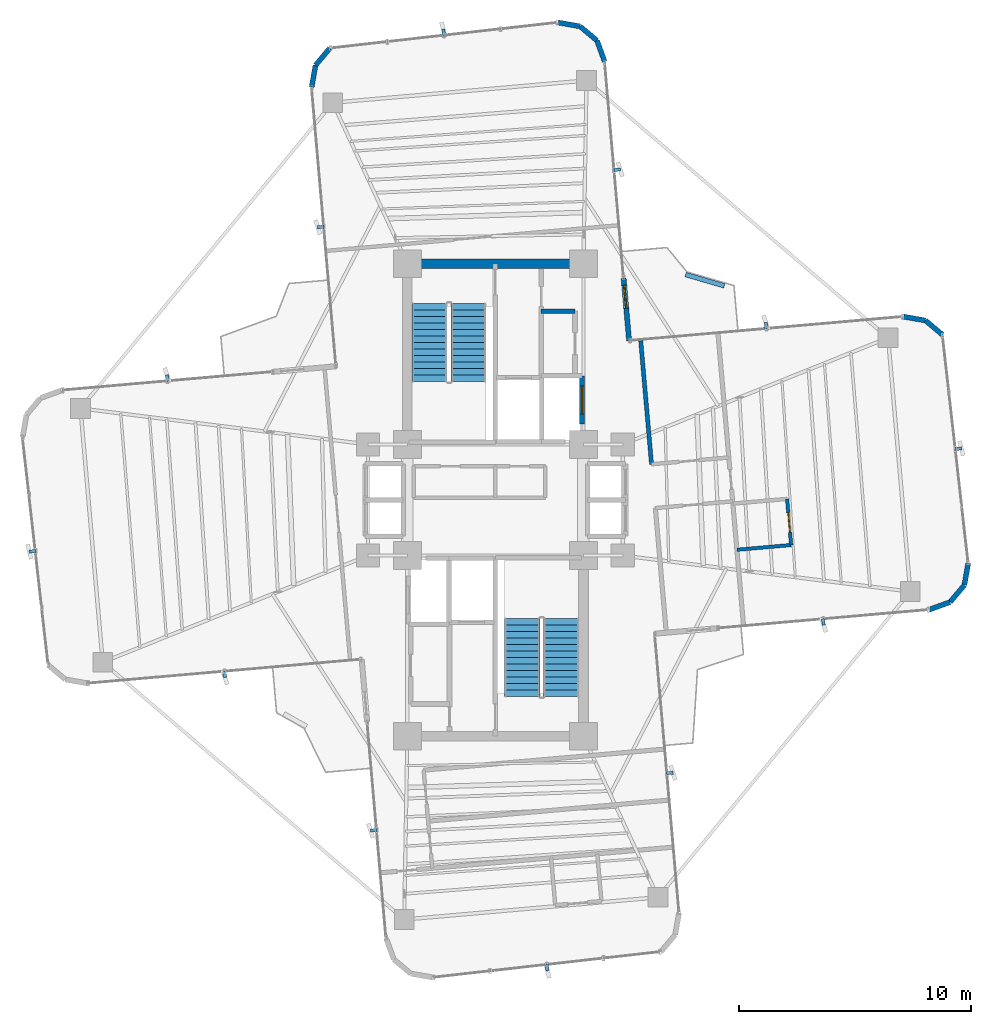
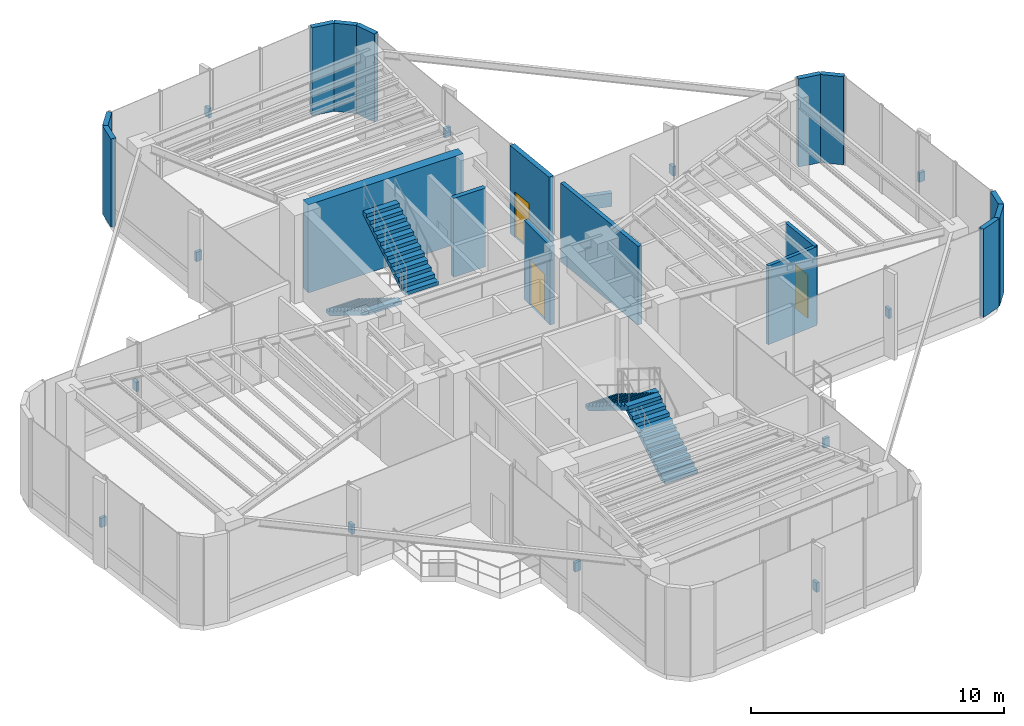
# One storey, part 18 of 19: 18 walls, 12 discrete accessories, 4 stair flights, 3 doors, 3 openings, 2 elements without a shape of their own.
"""IFC4 building model written with IfcOpenShell, lengths in metres."""

from ifc_helpers import new_model, si_unit, direction, frame, frame_2d, origin, origin_2d, place, context, subcontext, project, spatial, polyline, rectangle, outline, extrude, source, transform, mapped, material, layer, layer_set, type_object, element, fill, aggregate, save


model = new_model("IFC4")

# Units and contexts
model_context = context("Model", 3, precision=1e-05, world=origin(), true_north=direction((0.0, 1.0)))
body_context = subcontext(model_context, "Body", "Model", "MODEL_VIEW")
ifc_project = project(units=[si_unit("LENGTHUNIT", "METRE"), si_unit("AREAUNIT", "SQUARE_METRE"), si_unit("VOLUMEUNIT", "CUBIC_METRE"), si_unit("PLANEANGLEUNIT", "RADIAN"), si_unit("MASSUNIT", "GRAM", prefix="KILO")], contexts=[model_context])

# Site, building, storey
site_placement = place(None, origin())
site = spatial("IfcSite", under=ifc_project, at=site_placement, CompositionType="ELEMENT")
building_placement = place(site_placement, origin())
building = spatial("IfcBuilding", under=site, at=building_placement, Name="Sahyath Konkavel Grand Hotel", CompositionType="ELEMENT")
storey_placement = place(building_placement, frame((0.0, 0.0, 170.699951171875)))
storey = spatial("IfcBuildingStorey", under=building, at=storey_placement, Name="L47", CompositionType="ELEMENT", Elevation=170.699951171875)

# Walls
ifc_material_1 = material(Name="Concrete C50/60", Category="concrete")
ifc_layer_1 = layer(ifc_material_1, 0.419921875)
ifc_layer_set_1 = layer_set([ifc_layer_1], Name="Concrete C50/60")
wall_type_1 = type_object("IfcWallType", Name="CWALL-420", PredefinedType="SHEAR", material=ifc_layer_set_1)
wall_1_placement = place(storey_placement, frame((-3.550048828125, 10.199951171875, 0.0), z_axis=(0.0, 0.0, 1.0), x_axis=(1.0, 0.0, 0.0)))
element("IfcWall", 1, at=wall_1_placement, inside=storey, type_object=wall_type_1, Name="L47 North Core Shear Wall N", PredefinedType="SHEAR", context=body_context, shape_type="SweptSolid", body=[
    extrude(rectangle(XDim=7.10009765625, YDim=0.419921875, at=frame_2d((3.550048828125, 0.0))), origin(), (0.0, 0.0, 1.0), 4.260009765625),
])
ifc_material_2 = material(Name="Warm Buff Sandstone Insulated Concrete C40/50", Category="masonry")
ifc_layer_2 = layer(ifc_material_2, 0.219970703125)
ifc_layer_set_2 = layer_set([ifc_layer_2], Name="Warm Buff Sandstone Insulated Concrete C40/50")
wall_type_2 = type_object("IfcWallType", Name="WLL-BALC-THRESH", PredefinedType="STANDARD", material=ifc_layer_set_2)
wall_2_placement = place(storey_placement, frame((18.73388671875, -4.735107421875, 0.0), z_axis=(0.0, 0.0, 1.0), x_axis=(0.939741306239, 0.34188635151, 0.0)))
element("IfcWall", 2, at=wall_2_placement, inside=storey, type_object=wall_type_2, Name="L47 Rounded Corner Sandstone Pier 1", PredefinedType="STANDARD", context=body_context, shape_type="SweptSolid", body=[
    extrude(rectangle(XDim=0.95751953125, YDim=0.219970703125, at=frame_2d((0.478759765625, 0.0))), origin(), (0.0, 0.0, 1.0), 4.260009765625),
])
for number, where, z_axis, x_axis, name in (
    (3, (19.6337890625, -4.40771484375, 0.0), (0.0, 0.0, 1.0), (0.642863236823, 0.765980978054, 0.0), "L47 Rounded Corner Sandstone Pier 2"),
    (4, (20.24951171875, -3.674072265625, 0.0), (0.0, 0.0, 1.0), (0.173610811841, 0.984814340885, 0.0), "L47 Rounded Corner Sandstone Pier 3"),
):
    element("IfcWall", number, at=place(storey_placement, frame(where, z_axis=z_axis, x_axis=x_axis)), inside=storey, type_object=wall_type_2, Name=name, PredefinedType="STANDARD", context=body_context, shape_type="SweptSolid", body=[
        extrude(rectangle(XDim=0.957763671875, YDim=0.219970703125, at=frame_2d((0.47900390625, 0.0))), origin(), (0.0, 0.0, 1.0), 4.260009765625),
    ])
wall_3_placement = place(storey_placement, frame((19.3037109375, 7.134521484375, 0.0), z_axis=(0.0, 0.0, 1.0), x_axis=(-0.766001159887, 0.642839189107, 0.0)))
element("IfcWall", 5, at=wall_3_placement, inside=storey, type_object=wall_type_2, Name="L47 Rounded Corner Sandstone Pier 5", PredefinedType="STANDARD", context=body_context, shape_type="SweptSolid", body=[
    extrude(rectangle(XDim=0.95751953125, YDim=0.219970703125, at=frame_2d((0.478759765625, 0.0))), origin(), (0.0, 0.0, 1.0), 4.260009765625),
])
wall_4_placement = place(storey_placement, frame((18.5703125, 7.75, 0.0), z_axis=(0.0, 0.0, 1.0), x_axis=(-0.984770724397, 0.173858046606, 0.0)))
element("IfcWall", 6, at=wall_4_placement, inside=storey, type_object=wall_type_2, Name="L47 Rounded Corner Sandstone Pier 6", PredefinedType="STANDARD", context=body_context, shape_type="SweptSolid", body=[
    extrude(rectangle(XDim=0.957763671875, YDim=0.219970703125, at=frame_2d((0.47900390625, 0.0))), origin(), (0.0, 0.0, 1.0), 4.260009765625),
])

# Wall, opening, door
wall_5_placement = place(storey_placement, frame((5.7724609375, 6.87939453125, 0.0), z_axis=(0.0, 0.0, 1.0), x_axis=(-0.087168071984, 0.996193619346, 0.0)))
wall_5 = element("IfcWall", 7, at=wall_5_placement, inside=storey, type_object=wall_type_2, Name="L47 Winter-Garden Threshold Wall 8", PredefinedType="STANDARD", context=body_context, shape_type="SweptSolid", body=[
    extrude(rectangle(XDim=2.699951171875, YDim=0.219970703125, at=frame_2d((1.35009765625, 0.0))), origin(), (0.0, 0.0, 1.0), 4.260009765625),
])
opening_1_placement = place(wall_5_placement, frame((1.39990234375, 0.0, 0.0)))
opening_1 = element("IfcOpeningElement", 8, at=opening_1_placement, cuts=wall_5, Name="Opening D-TR1", PredefinedType="OPENING", context=body_context, shape_type="SweptSolid", body=[
    extrude(rectangle(XDim=1.0, YDim=2.199951171875, at=frame_2d((0.5, 1.10009765625))), frame((0.0, 0.1201171875, 0.0), z_axis=(0.0, -1.0, 0.0), x_axis=(1.0, 0.0, 0.0)), (0.0, 0.0, 1.0), 0.239990234375),
])
ifc_material_3 = material(Name="Anodised Bronze Aluminium & Low-E Glazing", Category="aluminium")
door_type_1 = type_object("IfcDoorType", Name="DR-TERRACE-1000", OperationType="NOTDEFINED", PredefinedType="DOOR", material=ifc_material_3)
shared_shape_1 = source(origin(), body_context, "Body", "SweptSolid", [
    extrude(rectangle(XDim=1.0, YDim=0.050048828125, at=origin_2d()), origin(), (0.0, 0.0, 1.0), 2.199951171875),
])
door_1_placement = place(opening_1_placement, frame((0.5, 0.0, 0.0)))
door_1 = element("IfcDoor", 9, at=door_1_placement, inside=storey, type_object=door_type_1, Name="L47 Winter-Garden Terrace Door 8", OperationType="SINGLE_SWING_LEFT", OverallHeight=2.199951171875, OverallWidth=1.0, PredefinedType="DOOR", context=body_context, shape_type="MappedRepresentation", body=[
    mapped(shared_shape_1, transform((0.0, 0.0, 0.0), scale=1.0)),
])
fill(opening_1, door_1)

# Walls
wall_6_placement = place(storey_placement, frame((4.7177734375, 18.93310546875, 0.0), z_axis=(0.0, 0.0, 1.0), x_axis=(-0.34188635151, 0.939741306239, 0.0)))
element("IfcWall", 10, at=wall_6_placement, inside=storey, type_object=wall_type_2, Name="L47 Rounded Corner Sandstone Pier 9", PredefinedType="STANDARD", context=body_context, shape_type="SweptSolid", body=[
    extrude(rectangle(XDim=0.95751953125, YDim=0.219970703125, at=frame_2d((0.478759765625, 0.0))), origin(), (0.0, 0.0, 1.0), 4.260009765625),
])
for number, where, z_axis, x_axis, name in (
    (11, (4.390380859375, 19.8330078125, 0.0), (0.0, 0.0, 1.0), (-0.765980978054, 0.642863236823, 0.0), "L47 Rounded Corner Sandstone Pier 10"),
    (12, (3.65673828125, 20.44873046875, 0.0), (0.0, 0.0, 1.0), (-0.984814340885, 0.173610811841, 0.0), "L47 Rounded Corner Sandstone Pier 11"),
):
    element("IfcWall", number, at=place(storey_placement, frame(where, z_axis=z_axis, x_axis=x_axis)), inside=storey, type_object=wall_type_2, Name=name, PredefinedType="STANDARD", context=body_context, shape_type="SweptSolid", body=[
        extrude(rectangle(XDim=0.957763671875, YDim=0.219970703125, at=frame_2d((0.47900390625, 0.0))), origin(), (0.0, 0.0, 1.0), 4.260009765625),
    ])
for number, where, z_axis, x_axis, name in (
    (13, (-7.152099609375, 19.5029296875, 0.0), (0.0, 0.0, 1.0), (-0.642713642115, -0.766106503196, 0.0), "L47 Rounded Corner Sandstone Pier 13"),
    (14, (-7.767578125, 18.769287109375, 0.0), (0.0, 0.0, 1.0), (-0.173654409999, -0.984806654064, 0.0), "L47 Rounded Corner Sandstone Pier 14"),
):
    element("IfcWall", number, at=place(storey_placement, frame(where, z_axis=z_axis, x_axis=x_axis)), inside=storey, type_object=wall_type_2, Name=name, PredefinedType="STANDARD", context=body_context, shape_type="SweptSolid", body=[
        extrude(rectangle(XDim=0.95751953125, YDim=0.219970703125, at=frame_2d((0.478759765625, 0.0))), origin(), (0.0, 0.0, 1.0), 4.260009765625),
    ])

# Wall, opening, door
ifc_material_4 = material(Name="Concrete C40/50", Category="concrete")
ifc_layer_3 = layer(ifc_material_4, 0.199951171875)
ifc_layer_set_3 = layer_set([ifc_layer_3], Name="Concrete C40/50")
wall_type_3 = type_object("IfcWallType", Name="WLL-CORE-200", PredefinedType="SOLIDWALL", material=ifc_layer_set_3)
wall_7_placement = place(storey_placement, frame((3.739990234375, 3.280029296875, 0.0), z_axis=(0.0, 0.0, 1.0), x_axis=(0.0, 1.0, 0.0)))
wall_7 = element("IfcWall", 15, at=wall_7_placement, inside=storey, type_object=wall_type_3, Name="L47 Partition SH-SVL1-E", PredefinedType="SOLIDWALL", context=body_context, shape_type="SweptSolid", body=[
    extrude(rectangle(XDim=2.080078125, YDim=0.199951171875, at=frame_2d((1.0400390625, 0.0))), origin(), (0.0, 0.0, 1.0), 3.81005859375),
])
opening_2_placement = place(wall_7_placement, frame((0.43994140625, 0.0, 0.0)))
opening_2 = element("IfcOpeningElement", 16, at=opening_2_placement, cuts=wall_7, Name="Opening LD-12", PredefinedType="OPENING", context=body_context, shape_type="SweptSolid", body=[
    extrude(rectangle(XDim=1.199951171875, YDim=2.199951171875, at=frame_2d((0.60009765625, 1.10009765625))), frame((0.0, 0.10986328125, 0.0), z_axis=(0.0, -1.0, 0.0), x_axis=(1.0, 0.0, 0.0)), (0.0, 0.0, 1.0), 0.219970703125),
])
ifc_material_5 = material(Name="Stainless Steel Lift Landing Door 1200", Category="steel")
door_type_2 = type_object("IfcDoorType", Name="DR-LIFT-1200", OperationType="DOUBLE_DOOR_SLIDING", PredefinedType="DOOR", material=ifc_material_5)
shared_shape_2 = source(origin(), body_context, "Body", "SweptSolid", [
    extrude(rectangle(XDim=1.199951171875, YDim=0.050048828125, at=origin_2d()), origin(), (0.0, 0.0, 1.0), 2.199951171875),
])
door_2_placement = place(opening_2_placement, frame((0.60009765625, 0.0, 0.0)))
door_2 = element("IfcDoor", 17, at=door_2_placement, inside=storey, type_object=door_type_2, Name="L47 Service Lift SVL-1 Landing Door", OperationType="DOUBLE_DOOR_SLIDING", OverallHeight=2.199951171875, OverallWidth=1.199951171875, PredefinedType="DOOR", context=body_context, shape_type="MappedRepresentation", body=[
    mapped(shared_shape_2, transform((0.0, 0.0, 0.0), scale=1.0)),
])
fill(opening_2, door_2)

# Walls
wall_8_placement = place(storey_placement, frame((1.97998046875, 8.14990234375, 0.0), z_axis=(0.0, 0.0, 1.0), x_axis=(1.0, 0.0, 0.0)))
element("IfcWall", 18, at=wall_8_placement, inside=storey, type_object=wall_type_3, Name="L47 Partition NC-REC-N", PredefinedType="SOLIDWALL", context=body_context, shape_type="SweptSolid", body=[
    extrude(rectangle(XDim=1.4599609375, YDim=0.199951171875, at=frame_2d((0.72998046875, 0.0))), origin(), (0.0, 0.0, 1.0), 3.81005859375),
])
ifc_material_6 = material(Name="Twin-Stud Acoustic Gypsum Plasterboard Partition")
ifc_layer_4 = layer(ifc_material_6, 0.179931640625)
ifc_layer_set_4 = layer_set([ifc_layer_4], Name="Twin-Stud Acoustic Gypsum Plasterboard Partition")
wall_type_4 = type_object("IfcWallType", Name="WLL-DEMISE-180", PredefinedType="PARTITIONING", material=ifc_layer_set_4)
wall_9_placement = place(storey_placement, frame((6.7412109375, 1.54345703125, 0.0), z_axis=(0.0, 0.0, 1.0), x_axis=(-0.087161289348, 0.996194212812, 0.0)))
element("IfcWall", 19, at=wall_9_placement, inside=storey, type_object=wall_type_4, Name="L47 Partition E-INL", PredefinedType="PARTITIONING", context=body_context, shape_type="SweptSolid", body=[
    extrude(rectangle(XDim=5.349853515625, YDim=0.179931640625, at=frame_2d((2.6748046875, 0.0))), origin(), (0.0, 0.0, 1.0), 3.81005859375),
])
ifc_material_7 = material(Name="Fire-Rated Gypsum Plasterboard Partition")
ifc_layer_5 = layer(ifc_material_7, 0.14990234375)
ifc_layer_set_5 = layer_set([ifc_layer_5], Name="Fire-Rated Gypsum Plasterboard Partition")
wall_type_5 = type_object("IfcWallType", Name="WLL-PART-150", PredefinedType="PARTITIONING", material=ifc_layer_set_5)
wall_10_placement = place(storey_placement, frame((10.427001953125, -2.1494140625, 0.0), z_axis=(0.0, 0.0, 1.0), x_axis=(0.996194055785, 0.087163084034, 0.0)))
element("IfcWall", 20, at=wall_10_placement, inside=storey, type_object=wall_type_5, Name="L47 Partition E-ETIP-BS", PredefinedType="PARTITIONING", context=body_context, shape_type="SweptSolid", body=[
    extrude(rectangle(XDim=2.35009765625, YDim=0.14990234375, at=frame_2d((1.175048828125, 0.0))), origin(), (0.0, 0.0, 1.0), 3.81005859375),
])

# Wall, opening, door
wall_11_placement = place(storey_placement, frame((12.76806640625, -1.944580078125, 0.0), z_axis=(0.0, 0.0, 1.0), x_axis=(-0.087156350505, 0.99619464492, 0.0)))
wall_11 = element("IfcWall", 21, at=wall_11_placement, inside=storey, type_object=wall_type_5, Name="L47 Partition E-ETIP-BE", PredefinedType="PARTITIONING", context=body_context, shape_type="SweptSolid", body=[
    extrude(rectangle(XDim=2.0, YDim=0.14990234375, at=frame_2d((1.0, 0.0))), origin(), (0.0, 0.0, 1.0), 3.81005859375),
])
opening_3_placement = place(wall_11_placement, frame((0.550048828125, 0.0, 0.0)))
opening_3 = element("IfcOpeningElement", 22, at=opening_3_placement, cuts=wall_11, Name="Opening D-BT85", PredefinedType="OPENING", context=body_context, shape_type="SweptSolid", body=[
    extrude(rectangle(XDim=0.85009765625, YDim=2.10009765625, at=frame_2d((0.425048828125, 1.050048828125))), frame((0.0, 0.0849609375, 0.0), z_axis=(0.0, -1.0, 0.0), x_axis=(1.0, 0.0, 0.0)), (0.0, 0.0, 1.0), 0.169921875),
])
ifc_material_8 = material(Name="Moisture-Resistant Teak Bathroom Door")
door_type_3 = type_object("IfcDoorType", Name="DR-BATH-850", OperationType="NOTDEFINED", PredefinedType="DOOR", material=ifc_material_8)
shared_shape_3 = source(origin(), body_context, "Body", "SweptSolid", [
    extrude(rectangle(XDim=0.85009765625, YDim=0.050048828125, at=origin_2d()), origin(), (0.0, 0.0, 1.0), 2.10009765625),
])
door_3_placement = place(opening_3_placement, frame((0.425048828125, 0.0, 0.0)))
door_3 = element("IfcDoor", 23, at=door_3_placement, inside=storey, type_object=door_type_3, Name="L47 Door E-ETIP-BD", OperationType="SINGLE_SWING_LEFT", OverallHeight=2.10009765625, OverallWidth=0.85009765625, PredefinedType="DOOR", context=body_context, shape_type="MappedRepresentation", body=[
    mapped(shared_shape_3, transform((0.0, 0.0, 0.0), scale=1.0)),
])
fill(opening_3, door_3)

# Wall
ifc_material_9 = material(Name="Warm Buff Sandstone Planter Wall", Category="masonry")
ifc_layer_6 = layer(ifc_material_9, 0.199951171875)
ifc_layer_set_6 = layer_set([ifc_layer_6], Name="Warm Buff Sandstone Planter Wall")
wall_type_6 = type_object("IfcWallType", Name="WLL-PLANTER-200", PredefinedType="PARAPET", material=ifc_layer_set_6)
wall_12_placement = place(storey_placement, frame((9.88525390625, 9.244384765625, 0.0), z_axis=(0.0, 0.0, 1.0), x_axis=(-0.959963875949, 0.280123824178, 0.0)))
element("IfcWall", 24, at=wall_12_placement, inside=storey, type_object=wall_type_6, Name="L47 Sky-Garden Stone Planter PLANTER NE", PredefinedType="PARAPET", context=body_context, shape_type="SweptSolid", body=[
    extrude(rectangle(XDim=1.741455078125, YDim=0.199951171875, at=frame_2d((0.87060546875, 0.0))), origin(), (0.0, 0.0, 1.0), 0.650146484375),
])

# Stair, stair flights
stair_type = type_object("IfcStairType", Name="STR-ST16-450", PredefinedType="HALF_TURN_STAIR", material=ifc_material_4)
stair_1_placement = place(storey_placement, origin())
stair_1 = element("IfcStair", 25, at=stair_1_placement, inside=storey, type_object=stair_type, Name="L47 North Core Smokeproof Exit Stair ST-1", PredefinedType="HALF_TURN_STAIR")
stair_flight_type = type_object("IfcStairFlightType", Name="STF-ST16-450", PredefinedType="STRAIGHT", material=ifc_material_4)
stair_flight_1_placement = place(storey_placement, frame((-2.840087890625, 8.47998046875, 0.0), z_axis=(0.0, 0.0, 1.0), x_axis=(0.0, -1.0, 0.0)))
stair_flight_1 = element("IfcStairFlight", 26, at=stair_flight_1_placement, type_object=stair_flight_type, Name="ST-1 flight 1", NumberOfRisers=13, NumberOfTreads=12, PredefinedType="STRAIGHT", RiserHeight=0.173076923, TreadLength=0.28, context=body_context, shape_type="SweptSolid", body=[
    extrude(outline(polyline([(0.0, 0.0), (0.0, 0.173095703125), (0.280029296875, 0.173095703125), (0.280029296875, 0.34619140625), (0.56005859375, 0.34619140625), (0.56005859375, 0.519287109375), (0.840087890625, 0.519287109375), (0.840087890625, 0.6923828125), (1.1201171875, 0.6923828125), (1.1201171875, 0.865478515625), (1.39990234375, 0.865478515625), (1.39990234375, 1.03857421875), (1.679931640625, 1.03857421875), (1.679931640625, 1.21142578125), (1.9599609375, 1.21142578125), (1.9599609375, 1.384521484375), (2.239990234375, 1.384521484375), (2.239990234375, 1.5576171875), (2.52001953125, 1.5576171875), (2.52001953125, 1.730712890625), (2.800048828125, 1.730712890625), (2.800048828125, 1.90380859375), (3.080078125, 1.90380859375), (3.080078125, 2.076904296875), (3.360107421875, 2.076904296875), (3.360107421875, 2.25), (3.360107421875, 1.900634765625), (0.28515625, 0.0), (0.0, 0.0)])), frame((0.0, 0.760009765625, 0.0), z_axis=(0.0, -1.0, 0.0), x_axis=(1.0, 0.0, 0.0)), (0.0, 0.0, 1.0), 1.52001953125),
])
stair_flight_2_placement = place(storey_placement, frame((-1.159912109375, 5.1201171875, 2.25), z_axis=(0.0, 0.0, 1.0), x_axis=(0.0, 1.0, 0.0)))
stair_flight_2 = element("IfcStairFlight", 27, at=stair_flight_2_placement, type_object=stair_flight_type, Name="ST-1 flight 2", NumberOfRisers=13, NumberOfTreads=12, PredefinedType="STRAIGHT", RiserHeight=0.173076923, TreadLength=0.28, context=body_context, shape_type="SweptSolid", body=[
    extrude(outline(polyline([(0.0, 0.0), (0.0, 0.173095703125), (0.280029296875, 0.173095703125), (0.280029296875, 0.34619140625), (0.56005859375, 0.34619140625), (0.56005859375, 0.519287109375), (0.840087890625, 0.519287109375), (0.840087890625, 0.6923828125), (1.1201171875, 0.6923828125), (1.1201171875, 0.865478515625), (1.39990234375, 0.865478515625), (1.39990234375, 1.03857421875), (1.679931640625, 1.03857421875), (1.679931640625, 1.21142578125), (1.9599609375, 1.21142578125), (1.9599609375, 1.384521484375), (2.239990234375, 1.384521484375), (2.239990234375, 1.5576171875), (2.52001953125, 1.5576171875), (2.52001953125, 1.730712890625), (2.800048828125, 1.730712890625), (2.800048828125, 1.90380859375), (3.080078125, 1.90380859375), (3.080078125, 2.076904296875), (3.360107421875, 2.076904296875), (3.360107421875, 2.25), (3.360107421875, 1.900634765625), (0.28515625, 0.0), (0.0, 0.0)])), frame((0.0, 0.760009765625, 0.0), z_axis=(0.0, -1.0, 0.0), x_axis=(1.0, 0.0, 0.0)), (0.0, 0.0, 1.0), 1.52001953125),
])
aggregate(stair_1, [stair_flight_1, stair_flight_2])

stair_2_placement = place(storey_placement, origin())
stair_2 = element("IfcStair", 28, at=stair_2_placement, inside=storey, type_object=stair_type, Name="L47 South Core Smokeproof Exit Stair ST-2", PredefinedType="HALF_TURN_STAIR")
stair_flight_3_placement = place(storey_placement, frame((2.840087890625, -8.47998046875, 0.0), z_axis=(0.0, 0.0, 1.0), x_axis=(0.0, 1.0, 0.0)))
stair_flight_3 = element("IfcStairFlight", 29, at=stair_flight_3_placement, type_object=stair_flight_type, Name="ST-2 flight 1", NumberOfRisers=13, NumberOfTreads=12, PredefinedType="STRAIGHT", RiserHeight=0.173076923, TreadLength=0.28, context=body_context, shape_type="SweptSolid", body=[
    extrude(outline(polyline([(0.0, 0.0), (0.0, 0.173095703125), (0.280029296875, 0.173095703125), (0.280029296875, 0.34619140625), (0.56005859375, 0.34619140625), (0.56005859375, 0.519287109375), (0.840087890625, 0.519287109375), (0.840087890625, 0.6923828125), (1.1201171875, 0.6923828125), (1.1201171875, 0.865478515625), (1.39990234375, 0.865478515625), (1.39990234375, 1.03857421875), (1.679931640625, 1.03857421875), (1.679931640625, 1.21142578125), (1.9599609375, 1.21142578125), (1.9599609375, 1.384521484375), (2.239990234375, 1.384521484375), (2.239990234375, 1.5576171875), (2.52001953125, 1.5576171875), (2.52001953125, 1.730712890625), (2.800048828125, 1.730712890625), (2.800048828125, 1.90380859375), (3.080078125, 1.90380859375), (3.080078125, 2.076904296875), (3.360107421875, 2.076904296875), (3.360107421875, 2.25), (3.360107421875, 1.900634765625), (0.28515625, 0.0), (0.0, 0.0)])), frame((0.0, 0.760009765625, 0.0), z_axis=(0.0, -1.0, 0.0), x_axis=(1.0, 0.0, 0.0)), (0.0, 0.0, 1.0), 1.52001953125),
])
stair_flight_4_placement = place(storey_placement, frame((1.159912109375, -5.1201171875, 2.25), z_axis=(0.0, 0.0, 1.0), x_axis=(0.0, -1.0, 0.0)))
stair_flight_4 = element("IfcStairFlight", 30, at=stair_flight_4_placement, type_object=stair_flight_type, Name="ST-2 flight 2", NumberOfRisers=13, NumberOfTreads=12, PredefinedType="STRAIGHT", RiserHeight=0.173076923, TreadLength=0.28, context=body_context, shape_type="SweptSolid", body=[
    extrude(outline(polyline([(0.0, 0.0), (0.0, 0.173095703125), (0.280029296875, 0.173095703125), (0.280029296875, 0.34619140625), (0.56005859375, 0.34619140625), (0.56005859375, 0.519287109375), (0.840087890625, 0.519287109375), (0.840087890625, 0.6923828125), (1.1201171875, 0.6923828125), (1.1201171875, 0.865478515625), (1.39990234375, 0.865478515625), (1.39990234375, 1.03857421875), (1.679931640625, 1.03857421875), (1.679931640625, 1.21142578125), (1.9599609375, 1.21142578125), (1.9599609375, 1.384521484375), (2.239990234375, 1.384521484375), (2.239990234375, 1.5576171875), (2.52001953125, 1.5576171875), (2.52001953125, 1.730712890625), (2.800048828125, 1.730712890625), (2.800048828125, 1.90380859375), (3.080078125, 1.90380859375), (3.080078125, 2.076904296875), (3.360107421875, 2.076904296875), (3.360107421875, 2.25), (3.360107421875, 1.900634765625), (0.28515625, 0.0), (0.0, 0.0)])), frame((0.0, 0.760009765625, 0.0), z_axis=(0.0, -1.0, 0.0), x_axis=(1.0, 0.0, 0.0)), (0.0, 0.0, 1.0), 1.52001953125),
])
aggregate(stair_2, [stair_flight_3, stair_flight_4])

# Discrete accessories
ifc_material_10 = material(Name="Steel E350", Category="steel")
discrete_accessory_type = type_object("IfcDiscreteAccessoryType", Name="ACC-FIN-BRACKET", PredefinedType="BRACKET", material=ifc_material_10)
shared_shape_4 = source(origin(), body_context, "Body", "SweptSolid", [
    extrude(rectangle(XDim=0.280029296875, YDim=0.139892578125, at=origin_2d()), origin(), (0.0, 0.0, 1.0), 0.449951171875),
])
for number, where, z_axis, x_axis, name in (
    (31, (14.162841796875, -5.265625, 1.9052734375), (0.0, 0.0, 1.0), (0.087155742748, -0.996194698092, 0.0), "L47 Fin Support Bracket F0-1"),
    (32, (19.989013671875, 2.21630859375, 1.9052734375), (0.0, 0.0, 1.0), (0.993709417943, 0.111989252568, 0.0), "L47 Fin Support Bracket F4-2"),
    (33, (11.6884765625, 7.52734375, 1.9052734375), (0.0, 0.0, 1.0), (-0.087155742748, 0.996194698092, 0.0), "L47 Fin Support Bracket F7-1"),
    (34, (5.2568359375, 14.262451171875, 1.9052734375), (0.0, 0.0, 1.0), (0.996194698092, 0.087155742748, 0.0), "L47 Fin Support Bracket F8-1"),
    (35, (-2.23388671875, 20.188232421875, 1.9052734375), (0.0, 0.0, 1.0), (-0.112006596052, 0.993707463211, 0.0), "L47 Fin Support Bracket F12-2"),
    (36, (-7.5361328125, 11.7880859375, 1.9052734375), (0.0, 0.0, 1.0), (-0.996194698092, -0.087155742748, 0.0), "L47 Fin Support Bracket F15-1"),
    (37, (-14.162841796875, 5.265625, 1.9052734375), (0.0, 0.0, 1.0), (-0.087155742748, 0.996194698092, 0.0), "L47 Fin Support Bracket F16-1"),
    (38, (-19.989013671875, -2.21630859375, 1.9052734375), (0.0, 0.0, 1.0), (-0.993709417943, -0.111989252568, 0.0), "L47 Fin Support Bracket F20-2"),
    (39, (-11.6884765625, -7.52734375, 1.9052734375), (0.0, 0.0, 1.0), (0.087155742748, -0.996194698092, 0.0), "L47 Fin Support Bracket F23-1"),
    (40, (-5.2568359375, -14.262451171875, 1.9052734375), (0.0, 0.0, 1.0), (-0.996194698092, -0.087155742748, 0.0), "L47 Fin Support Bracket F24-1"),
    (41, (2.23388671875, -20.188232421875, 1.9052734375), (0.0, 0.0, 1.0), (0.112006596052, -0.993707463211, 0.0), "L47 Fin Support Bracket F28-2"),
    (42, (7.5361328125, -11.7880859375, 1.9052734375), (0.0, 0.0, 1.0), (0.996194698092, 0.087155742748, 0.0), "L47 Fin Support Bracket F31-1"),
):
    element("IfcDiscreteAccessory", number, at=place(storey_placement, frame(where, z_axis=z_axis, x_axis=x_axis)), inside=storey, type_object=discrete_accessory_type, Name=name, PredefinedType="BRACKET", context=body_context, shape_type="MappedRepresentation", body=[
        mapped(shared_shape_4, transform((0.0, 0.0, 0.0), scale=1.0)),
    ])

save(model, "model.ifc")
